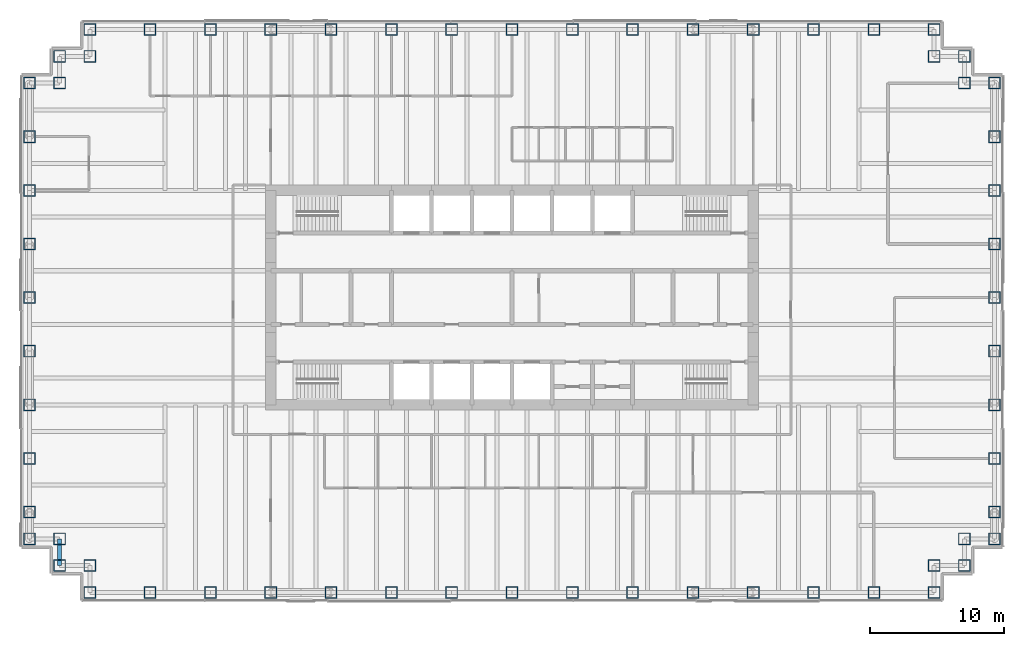
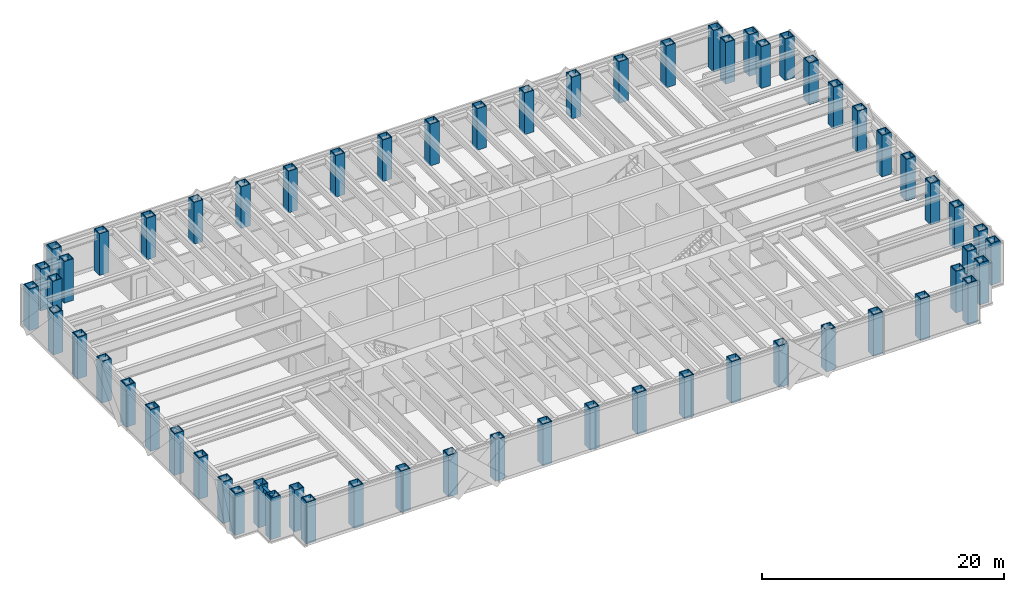
# One storey, part 1 of 15: 62 columns, 1 beam.
"""IFC4 building model written with IfcOpenShell, lengths in metres."""

from ifc_helpers import new_model, si_unit, direction, frame, origin, origin_2d, place, context, subcontext, project, spatial, hollow_rectangle, i_section, extrude, material, material_profile, profile_set, type_object, element, save


model = new_model("IFC4")

# Units and contexts
model_context = context("Model", 3, precision=1e-05, world=origin(), true_north=direction((0.0, 1.0)))
body_context = subcontext(model_context, "Body", "Model", "MODEL_VIEW")
ifc_project = project(units=[si_unit("LENGTHUNIT", "METRE"), si_unit("AREAUNIT", "SQUARE_METRE"), si_unit("VOLUMEUNIT", "CUBIC_METRE"), si_unit("PLANEANGLEUNIT", "RADIAN"), si_unit("MASSUNIT", "GRAM", prefix="KILO")], contexts=[model_context])

# Site, building, storey
site_placement = place(None, origin())
site = spatial("IfcSite", under=ifc_project, at=site_placement, CompositionType="ELEMENT")
building_placement = place(site_placement, origin())
building = spatial("IfcBuilding", under=site, at=building_placement, Name="Rheinbord Bourse Tower", CompositionType="ELEMENT")
storey_placement = place(building_placement, frame((0.0, 0.0, 257.199951171875)))
storey = spatial("IfcBuildingStorey", under=building, at=storey_placement, Name="L58", CompositionType="ELEMENT", Elevation=257.199951171875)

# Columns
ifc_material_1 = material(Name="Steel S460M", Category="steel")
ifc_material_profile_1 = material_profile(ifc_material_1, hollow_rectangle(XDim=0.89990234375, YDim=0.89990234375, WallThickness=0.070068359375, at=origin_2d()), Name="BOX 900x900x70")
ifc_profile_set_1 = profile_set([ifc_material_profile_1], Name="Steel S460M")
column_type = type_object("IfcColumnType", Name="TUBE COLUMN BOX 900x900x70", PredefinedType="COLUMN", material=ifc_profile_set_1)
for number, where, z_axis, x_axis, name in (
    (1, (4.5, 2.0, 0.0), (0.0, 0.0, 1.0), (0.0, 1.0, 0.0), "Column SW-E L58"),
    (2, (9.0, 2.0, 0.0), (0.0, 0.0, 1.0), (0.0, 1.0, 0.0), "Column S-9 L58"),
    (3, (13.5, 2.0, 0.0), (0.0, 0.0, 1.0), (0.0, 1.0, 0.0), "Column S-13.5 L58"),
    (4, (18.0, 2.0, 0.0), (0.0, 0.0, 1.0), (0.0, 1.0, 0.0), "Column S-18 L58"),
    (5, (22.5, 2.0, 0.0), (0.0, 0.0, 1.0), (0.0, 1.0, 0.0), "Column S-22.5 L58"),
    (6, (27.0, 2.0, 0.0), (0.0, 0.0, 1.0), (0.0, 1.0, 0.0), "Column S-27 L58"),
    (7, (31.5, 2.0, 0.0), (0.0, 0.0, 1.0), (0.0, 1.0, 0.0), "Column S-31.5 L58"),
    (8, (36.0, 2.0, 0.0), (0.0, 0.0, 1.0), (0.0, 1.0, 0.0), "Column S-36 L58"),
    (9, (40.5, 2.0, 0.0), (0.0, 0.0, 1.0), (0.0, 1.0, 0.0), "Column S-40.5 L58"),
    (10, (45.0, 2.0, 0.0), (0.0, 0.0, 1.0), (0.0, 1.0, 0.0), "Column S-45 L58"),
    (11, (49.5, 2.0, 0.0), (0.0, 0.0, 1.0), (0.0, 1.0, 0.0), "Column S-49.5 L58"),
    (12, (54.0, 2.0, 0.0), (0.0, 0.0, 1.0), (0.0, 1.0, 0.0), "Column S-54 L58"),
    (13, (58.5, 2.0, 0.0), (0.0, 0.0, 1.0), (0.0, 1.0, 0.0), "Column S-58.5 L58"),
    (14, (63.0, 2.0, 0.0), (0.0, 0.0, 1.0), (0.0, 1.0, 0.0), "Column S-63 L58"),
    (15, (67.5, 2.0, 0.0), (0.0, 0.0, 1.0), (0.0, 1.0, 0.0), "Column SE-E L58"),
    (16, (67.5, 4.0, 0.0), (0.0, 0.0, 1.0), (0.0, 1.0, 0.0), "Column SE-D L58"),
    (17, (69.75, 4.0, 0.0), (0.0, 0.0, 1.0), (1.0, 0.0, 0.0), "Column SE-C L58"),
    (18, (69.75, 6.0, 0.0), (0.0, 0.0, 1.0), (1.0, 0.0, 0.0), "Column SE-B L58"),
    (19, (72.0, 6.0, 0.0), (0.0, 0.0, 1.0), (1.0, 0.0, 0.0), "Column SE-A L58"),
    (20, (72.0, 8.0, 0.0), (0.0, 0.0, 1.0), (1.0, 0.0, 0.0), "Column E-8 L58"),
    (21, (72.0, 12.0, 0.0), (0.0, 0.0, 1.0), (1.0, 0.0, 0.0), "Column E-12 L58"),
    (22, (72.0, 16.0, 0.0), (0.0, 0.0, 1.0), (1.0, 0.0, 0.0), "Column E-16 L58"),
    (23, (72.0, 20.0, 0.0), (0.0, 0.0, 1.0), (1.0, 0.0, 0.0), "Column E-20 L58"),
    (24, (72.0, 24.0, 0.0), (0.0, 0.0, 1.0), (1.0, 0.0, 0.0), "Column E-24 L58"),
    (25, (72.0, 28.0, 0.0), (0.0, 0.0, 1.0), (1.0, 0.0, 0.0), "Column E-28 L58"),
    (26, (72.0, 32.0, 0.0), (0.0, 0.0, 1.0), (1.0, 0.0, 0.0), "Column E-32 L58"),
    (27, (72.0, 36.0, 0.0), (0.0, 0.0, 1.0), (1.0, 0.0, 0.0), "Column E-36 L58"),
    (28, (72.0, 40.0, 0.0), (0.0, 0.0, 1.0), (1.0, 0.0, 0.0), "Column NE-A L58"),
    (29, (69.75, 40.0, 0.0), (0.0, 0.0, 1.0), (1.0, 0.0, 0.0), "Column NE-B L58"),
    (30, (69.75, 42.0, 0.0), (0.0, 0.0, 1.0), (1.0, 0.0, 0.0), "Column NE-C L58"),
    (31, (67.5, 42.0, 0.0), (0.0, 0.0, 1.0), (0.0, 1.0, 0.0), "Column NE-D L58"),
    (32, (67.5, 44.0, 0.0), (0.0, 0.0, 1.0), (0.0, 1.0, 0.0), "Column NE-E L58"),
    (33, (63.0, 44.0, 0.0), (0.0, 0.0, 1.0), (0.0, 1.0, 0.0), "Column N-63 L58"),
    (34, (58.5, 44.0, 0.0), (0.0, 0.0, 1.0), (0.0, 1.0, 0.0), "Column N-58.5 L58"),
    (35, (54.0, 44.0, 0.0), (0.0, 0.0, 1.0), (0.0, 1.0, 0.0), "Column N-54 L58"),
    (36, (49.5, 44.0, 0.0), (0.0, 0.0, 1.0), (0.0, 1.0, 0.0), "Column N-49.5 L58"),
    (37, (45.0, 44.0, 0.0), (0.0, 0.0, 1.0), (0.0, 1.0, 0.0), "Column N-45 L58"),
    (38, (40.5, 44.0, 0.0), (0.0, 0.0, 1.0), (0.0, 1.0, 0.0), "Column N-40.5 L58"),
    (39, (36.0, 44.0, 0.0), (0.0, 0.0, 1.0), (0.0, 1.0, 0.0), "Column N-36 L58"),
    (40, (31.5, 44.0, 0.0), (0.0, 0.0, 1.0), (0.0, 1.0, 0.0), "Column N-31.5 L58"),
    (41, (27.0, 44.0, 0.0), (0.0, 0.0, 1.0), (0.0, 1.0, 0.0), "Column N-27 L58"),
    (42, (22.5, 44.0, 0.0), (0.0, 0.0, 1.0), (0.0, 1.0, 0.0), "Column N-22.5 L58"),
    (43, (18.0, 44.0, 0.0), (0.0, 0.0, 1.0), (0.0, 1.0, 0.0), "Column N-18 L58"),
    (44, (13.5, 44.0, 0.0), (0.0, 0.0, 1.0), (0.0, 1.0, 0.0), "Column N-13.5 L58"),
    (45, (9.0, 44.0, 0.0), (0.0, 0.0, 1.0), (0.0, 1.0, 0.0), "Column N-9 L58"),
    (46, (4.5, 44.0, 0.0), (0.0, 0.0, 1.0), (0.0, 1.0, 0.0), "Column NW-E L58"),
    (47, (4.5, 42.0, 0.0), (0.0, 0.0, 1.0), (0.0, 1.0, 0.0), "Column NW-D L58"),
    (48, (2.25, 42.0, 0.0), (0.0, 0.0, 1.0), (1.0, 0.0, 0.0), "Column NW-C L58"),
    (49, (2.25, 40.0, 0.0), (0.0, 0.0, 1.0), (1.0, 0.0, 0.0), "Column NW-B L58"),
    (50, (0.0, 40.0, 0.0), (0.0, 0.0, 1.0), (1.0, 0.0, 0.0), "Column NW-A L58"),
    (51, (0.0, 36.0, 0.0), (0.0, 0.0, 1.0), (1.0, 0.0, 0.0), "Column W-36 L58"),
    (52, (0.0, 32.0, 0.0), (0.0, 0.0, 1.0), (1.0, 0.0, 0.0), "Column W-32 L58"),
    (53, (0.0, 28.0, 0.0), (0.0, 0.0, 1.0), (1.0, 0.0, 0.0), "Column W-28 L58"),
    (54, (0.0, 24.0, 0.0), (0.0, 0.0, 1.0), (1.0, 0.0, 0.0), "Column W-24 L58"),
    (55, (0.0, 20.0, 0.0), (0.0, 0.0, 1.0), (1.0, 0.0, 0.0), "Column W-20 L58"),
    (56, (0.0, 16.0, 0.0), (0.0, 0.0, 1.0), (1.0, 0.0, 0.0), "Column W-16 L58"),
    (57, (0.0, 12.0, 0.0), (0.0, 0.0, 1.0), (1.0, 0.0, 0.0), "Column W-12 L58"),
    (58, (0.0, 8.0, 0.0), (0.0, 0.0, 1.0), (1.0, 0.0, 0.0), "Column W-8 L58"),
    (59, (0.0, 6.0, 0.0), (0.0, 0.0, 1.0), (1.0, 0.0, 0.0), "Column SW-A L58"),
    (60, (2.25, 6.0, 0.0), (0.0, 0.0, 1.0), (1.0, 0.0, 0.0), "Column SW-B L58"),
    (61, (2.25, 4.0, 0.0), (0.0, 0.0, 1.0), (1.0, 0.0, 0.0), "Column SW-C L58"),
    (62, (4.5, 4.0, 0.0), (0.0, 0.0, 1.0), (0.0, 1.0, 0.0), "Column SW-D L58"),
):
    element("IfcColumn", number, at=place(storey_placement, frame(where, z_axis=z_axis, x_axis=x_axis)), inside=storey, type_object=column_type, Name=name, PredefinedType="COLUMN", context=body_context, shape_type="SweptSolid", body=[
        extrude(hollow_rectangle(XDim=0.89990234375, YDim=0.89990234375, WallThickness=0.070068359375, at=origin_2d()), origin(), (0.0, 0.0, 1.0), 4.199951171875),
    ])

# Beam
ifc_material_2 = material(Name="Steel S460", Category="steel")
ifc_material_profile_2 = material_profile(ifc_material_2, i_section(OverallWidth=0.300048828125, OverallDepth=0.60009765625, WebThickness=0.015380859375, FlangeThickness=0.030029296875, at=origin_2d()), Name="HEB 600")
ifc_profile_set_2 = profile_set([ifc_material_profile_2], Name="Steel S460")
beam_type = type_object("IfcBeamType", Name="SPANDREL HEB 600", PredefinedType="SPANDREL", material=ifc_profile_set_2)
beam_placement = place(storey_placement, frame((2.25, 6.0, 3.739990234375), z_axis=(0.0, -1.0, 0.0), x_axis=(1.0, 0.0, 0.0)))
element("IfcBeam", 63, at=beam_placement, inside=storey, type_object=beam_type, Name="Spandrel SW-B-SW-C under L59", PredefinedType="SPANDREL", context=body_context, shape_type="SweptSolid", body=[
    extrude(i_section(OverallWidth=0.300048828125, OverallDepth=0.60009765625, WebThickness=0.015380859375, FlangeThickness=0.030029296875, at=origin_2d()), origin(), (0.0, 0.0, 1.0), 2.0),
])

save(model, "model.ifc")
